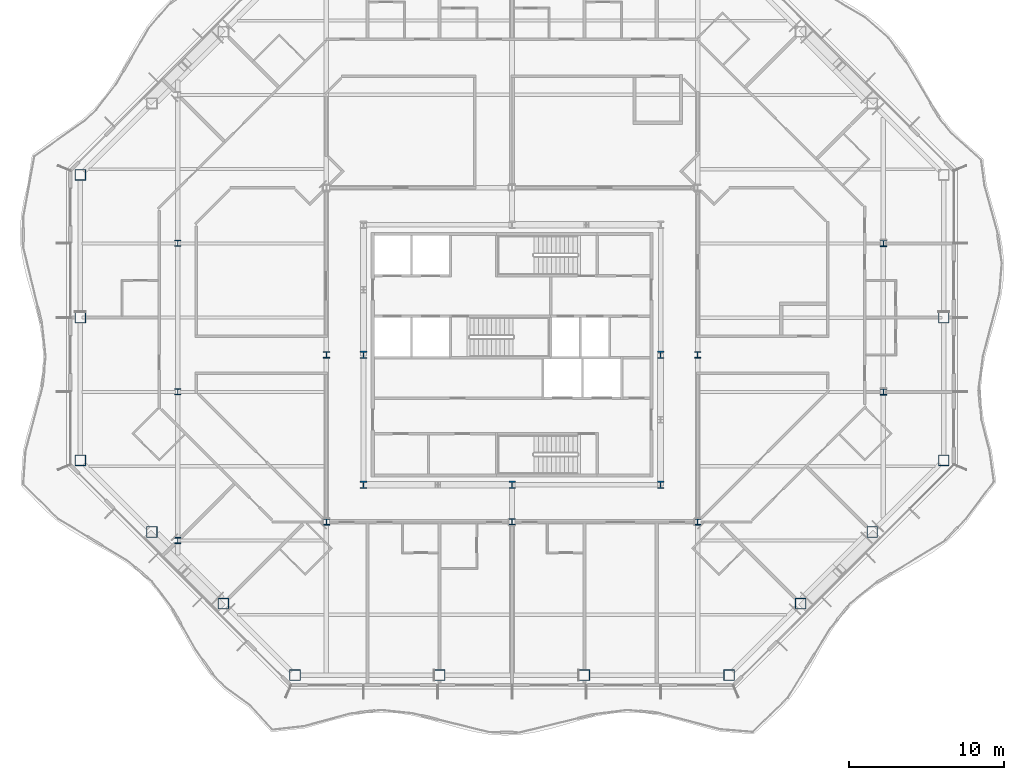
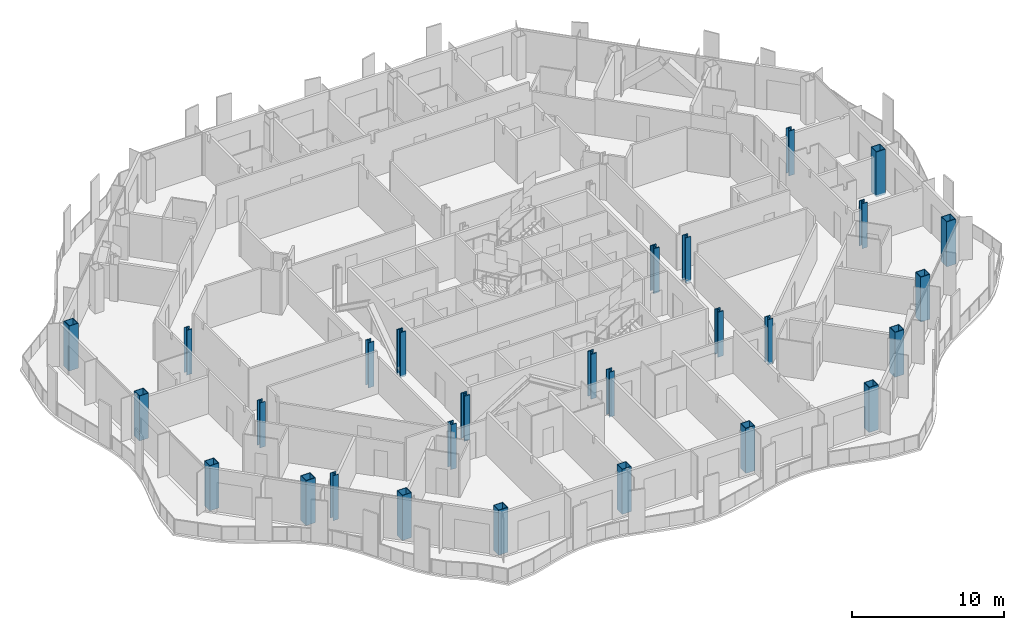
# One storey, part 1 of 21: 28 columns.
"""IFC4 building model written with IfcOpenShell, lengths in metres."""

from ifc_helpers import new_model, si_unit, direction, frame, origin, origin_2d, place, context, subcontext, project, spatial, hollow_rectangle, i_section, extrude, material, material_profile, profile_set, type_object, element, save


model = new_model("IFC4")

# Units and contexts
model_context = context("Model", 3, precision=1e-05, world=origin(), true_north=direction((0.0, 1.0)))
body_context = subcontext(model_context, "Body", "Model", "MODEL_VIEW")
ifc_project = project(units=[si_unit("LENGTHUNIT", "METRE"), si_unit("AREAUNIT", "SQUARE_METRE"), si_unit("VOLUMEUNIT", "CUBIC_METRE"), si_unit("PLANEANGLEUNIT", "RADIAN"), si_unit("MASSUNIT", "GRAM", prefix="KILO")], contexts=[model_context])

# Site, building, storey
site_placement = place(None, origin())
site = spatial("IfcSite", under=ifc_project, at=site_placement, CompositionType="ELEMENT")
building_placement = place(site_placement, origin())
building = spatial("IfcBuilding", under=site, at=building_placement, Name="Cairn Pilgrim Tower", CompositionType="ELEMENT")
storey_placement = place(building_placement, frame((0.0, 0.0, 143.39990234375)))
storey = spatial("IfcBuildingStorey", under=building, at=storey_placement, Name="L35", CompositionType="ELEMENT", Elevation=143.39990234375)

# Columns
ifc_material_1 = material(Name="Structural steel S460M", Category="steel")
ifc_material_profile_1 = material_profile(ifc_material_1, hollow_rectangle(XDim=0.699951171875, YDim=0.699951171875, WallThickness=0.0400390625, at=origin_2d()), Name="BOX 700x700x40")
ifc_profile_set_1 = profile_set([ifc_material_profile_1], Name="Structural steel S460M")
column_type_1 = type_object("IfcColumnType", Name="BOX 700x700x40", PredefinedType="COLUMN", material=ifc_profile_set_1)
for number, where, z_axis, x_axis, name in (
    (1, (-6.8271484375, -18.300048828125, -0.14990234375), (0.0, 0.0, 1.0), (1.0, 0.0, 0.0), "PC2-S1"),
    (2, (2.5244140625, -18.300048828125, -0.14990234375), (0.0, 0.0, 1.0), (1.0, 0.0, 0.0), "PC2-S2"),
    (3, (11.875732421875, -18.300048828125, -0.14990234375), (0.0, 0.0, 1.0), (1.0, 0.0, 0.0), "PC2-S3"),
    (4, (21.227294921875, -18.300048828125, -0.14990234375), (0.0, 0.0, 1.0), (1.0, 0.0, 0.0), "PC2-SE1"),
    (5, (25.8515625, -13.67578125, -0.14990234375), (0.0, 0.0, 1.0), (1.0, 0.0, 0.0), "PC2-SE2"),
    (6, (30.4755859375, -9.051513671875, -0.14990234375), (0.0, 0.0, 1.0), (1.0, 0.0, 0.0), "PC2-SE3"),
    (7, (35.10009765625, -4.42724609375, -0.14990234375), (0.0, 0.0, 1.0), (1.0, 0.0, 0.0), "PC2-E1"),
    (8, (35.10009765625, 4.800048828125, -0.14990234375), (0.0, 0.0, 1.0), (1.0, 0.0, 0.0), "PC2-E2"),
    (9, (-20.699951171875, 14.027099609375, -0.14990234375), (0.0, 0.0, 1.0), (1.0, 0.0, 0.0), "PC2-W1"),
    (10, (-20.699951171875, 4.800048828125, -0.14990234375), (0.0, 0.0, 1.0), (1.0, 0.0, 0.0), "PC2-W2"),
    (11, (-20.699951171875, -4.42724609375, -0.14990234375), (0.0, 0.0, 1.0), (1.0, 0.0, 0.0), "PC2-SW1"),
    (12, (-16.07568359375, -9.051513671875, -0.14990234375), (0.0, 0.0, 1.0), (1.0, 0.0, 0.0), "PC2-SW2"),
    (13, (-11.451416015625, -13.67578125, -0.14990234375), (0.0, 0.0, 1.0), (1.0, 0.0, 0.0), "PC2-SW3"),
):
    element("IfcColumn", number, at=place(storey_placement, frame(where, z_axis=z_axis, x_axis=x_axis)), inside=storey, type_object=column_type_1, Name=name, PredefinedType="COLUMN", context=body_context, shape_type="SweptSolid", body=[
        extrude(hollow_rectangle(XDim=0.699951171875, YDim=0.699951171875, WallThickness=0.0400390625, at=origin_2d()), origin(), (0.0, 0.0, 1.0), 3.60009765625),
    ])
ifc_material_2 = material(Name="Structural steel S355J2", Category="steel")
ifc_material_profile_2 = material_profile(ifc_material_2, i_section(OverallWidth=0.39892578125, OverallDepth=0.39306640625, WebThickness=0.022705078125, FlangeThickness=0.03662109375, FilletRadius=0.014892578125, at=origin_2d()), Name="HD 400x287")
ifc_profile_set_2 = profile_set([ifc_material_profile_2], Name="Structural steel S355J2")
column_type_2 = type_object("IfcColumnType", Name="HD 400x287", PredefinedType="COLUMN", material=ifc_profile_set_2)
for number, where, z_axis, x_axis, name in (
    (14, (-14.39990234375, -9.60009765625, -0.14990234375), (0.0, 0.0, 1.0), (1.0, 0.0, 0.0), "WC-WW-2"),
    (15, (-14.39990234375, 0.0, -0.14990234375), (0.0, 0.0, 1.0), (1.0, 0.0, 0.0), "WC-WW+0"),
    (16, (-14.39990234375, 9.60009765625, -0.14990234375), (0.0, 0.0, 1.0), (1.0, 0.0, 0.0), "WC-WW+2"),
):
    element("IfcColumn", number, at=place(storey_placement, frame(where, z_axis=z_axis, x_axis=x_axis)), inside=storey, type_object=column_type_2, Name=name, PredefinedType="COLUMN", context=body_context, shape_type="SweptSolid", body=[
        extrude(i_section(OverallWidth=0.39892578125, OverallDepth=0.39306640625, WebThickness=0.022705078125, FlangeThickness=0.03662109375, FilletRadius=0.014892578125, at=origin_2d()), origin(), (0.0, 0.0, 1.0), 3.60009765625),
    ])
ifc_material_profile_3 = material_profile(ifc_material_1, i_section(OverallWidth=0.408935546875, OverallDepth=0.425048828125, WebThickness=0.03271484375, FlangeThickness=0.052490234375, FilletRadius=0.014892578125, at=origin_2d()), Name="HD 400x421")
ifc_profile_set_3 = profile_set([ifc_material_profile_3], Name="Structural steel S460M")
column_type_3 = type_object("IfcColumnType", Name="HD 400x421", PredefinedType="COLUMN", material=ifc_profile_set_3)
for number, where, z_axis, x_axis, name in (
    (17, (-4.800048828125, -8.39990234375, -0.14990234375), (0.0, 0.0, 1.0), (1.0, 0.0, 0.0), "IC-1"),
    (18, (7.199951171875, -8.39990234375, -0.14990234375), (0.0, 0.0, 1.0), (1.0, 0.0, 0.0), "IC-2"),
    (19, (19.199951171875, -8.39990234375, -0.14990234375), (0.0, 0.0, 1.0), (1.0, 0.0, 0.0), "IC-3"),
    (20, (-4.800048828125, 2.39990234375, -0.14990234375), (0.0, 0.0, 1.0), (1.0, 0.0, 0.0), "IC-4"),
    (21, (19.199951171875, 2.39990234375, -0.14990234375), (0.0, 0.0, 1.0), (1.0, 0.0, 0.0), "IC-5"),
    (22, (31.199951171875, 0.0, -0.14990234375), (0.0, 0.0, 1.0), (1.0, 0.0, 0.0), "WC-WE+0"),
    (23, (31.199951171875, 9.60009765625, -0.14990234375), (0.0, 0.0, 1.0), (1.0, 0.0, 0.0), "WC-WE+2"),
):
    element("IfcColumn", number, at=place(storey_placement, frame(where, z_axis=z_axis, x_axis=x_axis)), inside=storey, type_object=column_type_3, Name=name, PredefinedType="COLUMN", context=body_context, shape_type="SweptSolid", body=[
        extrude(i_section(OverallWidth=0.408935546875, OverallDepth=0.425048828125, WebThickness=0.03271484375, FlangeThickness=0.052490234375, FilletRadius=0.014892578125, at=origin_2d()), origin(), (0.0, 0.0, 1.0), 3.60009765625),
    ])
ifc_material_profile_4 = material_profile(ifc_material_1, i_section(OverallWidth=0.424072265625, OverallDepth=0.47412109375, WebThickness=0.047607421875, FlangeThickness=0.0771484375, FilletRadius=0.014892578125, at=origin_2d()), Name="HD 400x634")
ifc_profile_set_4 = profile_set([ifc_material_profile_4], Name="Structural steel S460M")
column_type_4 = type_object("IfcColumnType", Name="HD 400x634", PredefinedType="COLUMN", material=ifc_profile_set_4)
for number, where, z_axis, x_axis, name in (
    (24, (-2.39990234375, -6.0, -0.14990234375), (0.0, 0.0, 1.0), (1.0, 0.0, 0.0), "KC-1"),
    (25, (7.199951171875, -6.0, -0.14990234375), (0.0, 0.0, 1.0), (1.0, 0.0, 0.0), "KC-2"),
    (26, (16.800048828125, -6.0, -0.14990234375), (0.0, 0.0, 1.0), (1.0, 0.0, 0.0), "KC-3"),
    (27, (-2.39990234375, 2.39990234375, -0.14990234375), (0.0, 0.0, 1.0), (1.0, 0.0, 0.0), "KC-4"),
    (28, (16.800048828125, 2.39990234375, -0.14990234375), (0.0, 0.0, 1.0), (1.0, 0.0, 0.0), "KC-5"),
):
    element("IfcColumn", number, at=place(storey_placement, frame(where, z_axis=z_axis, x_axis=x_axis)), inside=storey, type_object=column_type_4, Name=name, PredefinedType="COLUMN", context=body_context, shape_type="SweptSolid", body=[
        extrude(i_section(OverallWidth=0.424072265625, OverallDepth=0.47412109375, WebThickness=0.047607421875, FlangeThickness=0.0771484375, FilletRadius=0.014892578125, at=origin_2d()), origin(), (0.0, 0.0, 1.0), 3.60009765625),
    ])

save(model, "model.ifc")
